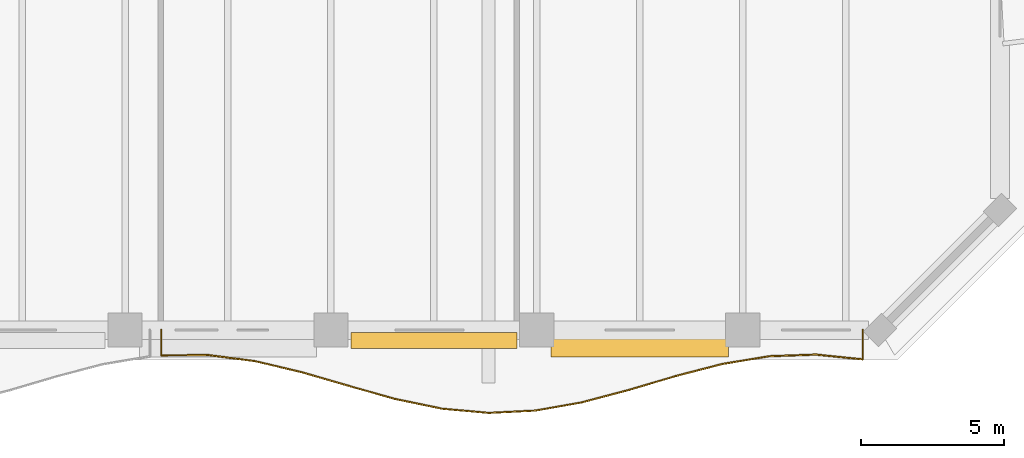
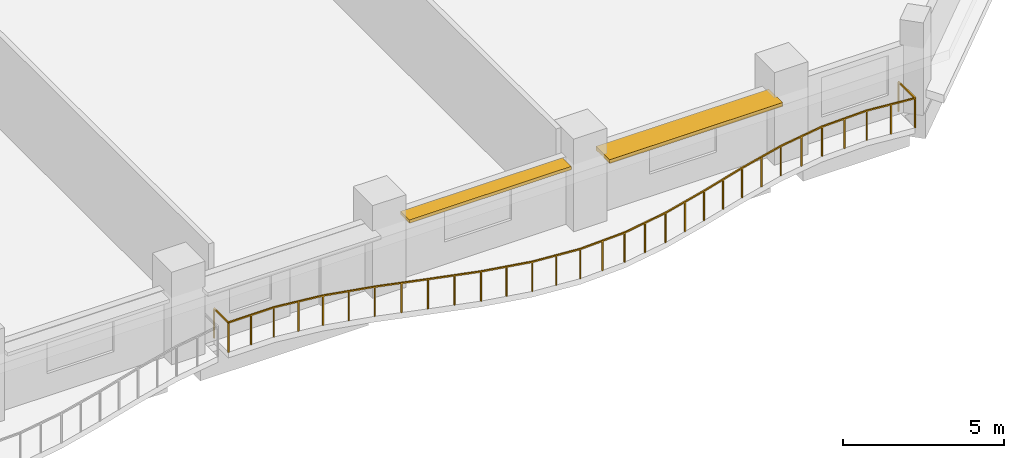
# One storey, part 14 of 15: 2 shading devices, 1 railing.
"""IFC4 building model written with IfcOpenShell, lengths in metres."""

from ifc_helpers import new_model, si_unit, direction, frame, origin, origin_2d, place, context, subcontext, project, spatial, rectangle, extrude, material, layer, layer_set, type_object, element, save


model = new_model("IFC4")

# Units and contexts
model_context = context("Model", 3, precision=1e-05, world=origin(), true_north=direction((0.0, 1.0)))
body_context = subcontext(model_context, "Body", "Model", "MODEL_VIEW")
ifc_project = project(units=[si_unit("LENGTHUNIT", "METRE"), si_unit("AREAUNIT", "SQUARE_METRE"), si_unit("VOLUMEUNIT", "CUBIC_METRE"), si_unit("PLANEANGLEUNIT", "RADIAN"), si_unit("MASSUNIT", "GRAM", prefix="KILO")], contexts=[model_context])

# Site, building, storey
site_placement = place(None, origin())
site = spatial("IfcSite", under=ifc_project, at=site_placement, CompositionType="ELEMENT")
building_placement = place(site_placement, origin())
building = spatial("IfcBuilding", under=site, at=building_placement, Name="Kaelvorn Grand Hotel", CompositionType="ELEMENT")
storey_placement = place(building_placement, frame((0.0, 0.0, 115.550048828125)))
storey = spatial("IfcBuildingStorey", under=building, at=storey_placement, Name="L27", CompositionType="ELEMENT", Elevation=115.550048828125)

# Railing
ifc_material_1 = material(Name="Stainless Steel", Category="steel")
railing_type = type_object("IfcRailingType", Name="RL-BALC-1150", PredefinedType="BALUSTRADE", material=ifc_material_1)
railing_placement = place(storey_placement, frame((54.666748046875, 0.0, 0.0)))
element("IfcRailing", 1, at=railing_placement, inside=storey, type_object=railing_type, Name="L27 Scalloped Wave Balcony Balustrade GR1-3", PredefinedType="BALUSTRADE", context=body_context, shape_type="SweptSolid", body=[
    extrude(rectangle(XDim=0.048095703125, YDim=0.048095703125, at=origin_2d()), frame((0.0, 0.0, 1.1259765625), z_axis=(0.0, -1.0, 0.0), x_axis=(1.0, 0.0, 0.0)), (0.0, 0.0, 1.0), 0.884521484375),
    extrude(rectangle(XDim=0.048095703125, YDim=0.048095703125, at=origin_2d()), frame((0.0, -0.884521484375, 1.1259765625), z_axis=(0.999978430437, 0.006568002827, 0.0), x_axis=(-0.006568002827, 0.999978430437, 0.0)), (0.0, 0.0, 1.0), 1.635498046875),
    extrude(rectangle(XDim=0.048095703125, YDim=0.048095703125, at=origin_2d()), frame((1.635498046875, -0.873779296875, 1.1259765625), z_axis=(0.991728699093, -0.128351811034, 0.0), x_axis=(0.128351811034, 0.991728699093, 0.0)), (0.0, 0.0, 1.0), 1.649169921875),
    extrude(rectangle(XDim=0.048095703125, YDim=0.048095703125, at=origin_2d()), frame((3.27099609375, -1.08544921875, 1.1259765625), z_axis=(0.973100001254, -0.230383132108, 0.0), x_axis=(0.230383132108, 0.973100001254, 0.0)), (0.0, 0.0, 1.0), 1.6806640625),
    extrude(rectangle(XDim=0.048095703125, YDim=0.048095703125, at=origin_2d()), frame((4.906494140625, -1.47265625, 1.1259765625), z_axis=(0.960083412967, -0.279713854047, 0.0), x_axis=(0.279713854047, 0.960083412967, 0.0)), (0.0, 0.0, 1.0), 1.703857421875),
    extrude(rectangle(XDim=0.048095703125, YDim=0.048095703125, at=origin_2d()), frame((6.542236328125, -1.94921875, 1.1259765625), z_axis=(0.962654451324, -0.270733092446, 0.0), x_axis=(0.270733092446, 0.962654451324, 0.0)), (0.0, 0.0, 1.0), 1.698974609375),
    extrude(rectangle(XDim=0.048095703125, YDim=0.048095703125, at=origin_2d()), frame((8.177734375, -2.4091796875, 1.1259765625), z_axis=(0.978911067954, -0.20428685968, 0.0), x_axis=(0.20428685968, 0.978911067954, 0.0)), (0.0, 0.0, 1.0), 1.670654296875),
    extrude(rectangle(XDim=0.048095703125, YDim=0.048095703125, at=origin_2d()), frame((9.813232421875, -2.75048828125, 1.1259765625), z_axis=(0.9959865086, -0.089503489801, 0.0), x_axis=(0.089503489801, 0.9959865086, 0.0)), (0.0, 0.0, 1.0), 1.64208984375),
    extrude(rectangle(XDim=0.048095703125, YDim=0.048095703125, at=origin_2d()), frame((11.44873046875, -2.8974609375, 1.1259765625), z_axis=(0.998796551064, 0.049045382881, 0.0), x_axis=(-0.049045382881, 0.998796551064, 0.0)), (0.0, 0.0, 1.0), 1.6376953125),
    extrude(rectangle(XDim=0.048095703125, YDim=0.048095703125, at=origin_2d()), frame((13.08447265625, -2.817138671875, 1.1259765625), z_axis=(0.984712445929, 0.174187826306, 0.0), x_axis=(-0.174187826306, 0.984712445929, 0.0)), (0.0, 0.0, 1.0), 1.660888671875),
    extrude(rectangle(XDim=0.048095703125, YDim=0.048095703125, at=origin_2d()), frame((14.719970703125, -2.52783203125, 1.1259765625), z_axis=(0.966464429191, 0.256800520072, 0.0), x_axis=(-0.256800520072, 0.966464429191, 0.0)), (0.0, 0.0, 1.0), 1.692138671875),
    extrude(rectangle(XDim=0.048095703125, YDim=0.048095703125, at=origin_2d()), frame((16.35546875, -2.09326171875, 1.1259765625), z_axis=(0.959066322629, 0.283181547419, 0.0), x_axis=(-0.283181547419, 0.959066322629, 0.0)), (0.0, 0.0, 1.0), 1.705322265625),
    extrude(rectangle(XDim=0.048095703125, YDim=0.048095703125, at=origin_2d()), frame((17.990966796875, -1.6103515625, 1.1259765625), z_axis=(0.967989097059, 0.250992246842, 0.0), x_axis=(-0.250992246842, 0.967989097059, 0.0)), (0.0, 0.0, 1.0), 1.689697265625),
    extrude(rectangle(XDim=0.048095703125, YDim=0.048095703125, at=origin_2d()), frame((19.62646484375, -1.186279296875, 1.1259765625), z_axis=(0.986528894242, 0.163587104702, 0.0), x_axis=(-0.163587104702, 0.986528894242, 0.0)), (0.0, 0.0, 1.0), 1.657958984375),
    extrude(rectangle(XDim=0.048095703125, YDim=0.048095703125, at=origin_2d()), frame((21.26220703125, -0.9150390625, 1.1259765625), z_axis=(0.999374770744, 0.035356295069, 0.0), x_axis=(-0.035356295069, 0.999374770744, 0.0)), (0.0, 0.0, 1.0), 1.636474609375),
    extrude(rectangle(XDim=0.048095703125, YDim=0.048095703125, at=origin_2d()), frame((22.897705078125, -0.857177734375, 1.1259765625), z_axis=(0.994767517021, -0.102164509884, 0.0), x_axis=(0.102164509884, 0.994767517021, 0.0)), (0.0, 0.0, 1.0), 1.64404296875),
    extrude(rectangle(XDim=0.048095703125, YDim=0.048095703125, at=origin_2d()), frame((24.533203125, -1.025146484375, 1.1259765625), z_axis=(0.0, 1.0, 0.0), x_axis=(-1.0, 0.0, 0.0)), (0.0, 0.0, 1.0), 1.025146484375),
    extrude(rectangle(XDim=0.0419921875, YDim=0.0419921875, at=origin_2d()), origin(), (0.0, 0.0, 1.0), 1.101806640625),
    extrude(rectangle(XDim=0.0419921875, YDim=0.0419921875, at=origin_2d()), frame((0.0, -0.884521484375, 0.0)), (0.0, 0.0, 1.0), 1.101806640625),
    extrude(rectangle(XDim=0.0419921875, YDim=0.0419921875, at=origin_2d()), frame((0.81787109375, -0.879150390625, 0.0)), (0.0, 0.0, 1.0), 1.101806640625),
    extrude(rectangle(XDim=0.0419921875, YDim=0.0419921875, at=origin_2d()), frame((1.635498046875, -0.873779296875, 0.0)), (0.0, 0.0, 1.0), 1.101806640625),
    extrude(rectangle(XDim=0.0419921875, YDim=0.0419921875, at=origin_2d()), frame((2.453125, -0.9794921875, 0.0)), (0.0, 0.0, 1.0), 1.101806640625),
    extrude(rectangle(XDim=0.0419921875, YDim=0.0419921875, at=origin_2d()), frame((3.27099609375, -1.08544921875, 0.0)), (0.0, 0.0, 1.0), 1.101806640625),
    extrude(rectangle(XDim=0.0419921875, YDim=0.0419921875, at=origin_2d()), frame((4.0888671875, -1.279052734375, 0.0)), (0.0, 0.0, 1.0), 1.101806640625),
    extrude(rectangle(XDim=0.0419921875, YDim=0.0419921875, at=origin_2d()), frame((4.906494140625, -1.47265625, 0.0)), (0.0, 0.0, 1.0), 1.101806640625),
    extrude(rectangle(XDim=0.0419921875, YDim=0.0419921875, at=origin_2d()), frame((5.724365234375, -1.7109375, 0.0)), (0.0, 0.0, 1.0), 1.101806640625),
    extrude(rectangle(XDim=0.0419921875, YDim=0.0419921875, at=origin_2d()), frame((6.542236328125, -1.94921875, 0.0)), (0.0, 0.0, 1.0), 1.101806640625),
    extrude(rectangle(XDim=0.0419921875, YDim=0.0419921875, at=origin_2d()), frame((7.35986328125, -2.17919921875, 0.0)), (0.0, 0.0, 1.0), 1.101806640625),
    extrude(rectangle(XDim=0.0419921875, YDim=0.0419921875, at=origin_2d()), frame((8.177734375, -2.4091796875, 0.0)), (0.0, 0.0, 1.0), 1.101806640625),
    extrude(rectangle(XDim=0.0419921875, YDim=0.0419921875, at=origin_2d()), frame((8.99560546875, -2.579833984375, 0.0)), (0.0, 0.0, 1.0), 1.101806640625),
    extrude(rectangle(XDim=0.0419921875, YDim=0.0419921875, at=origin_2d()), frame((9.813232421875, -2.75048828125, 0.0)), (0.0, 0.0, 1.0), 1.101806640625),
    extrude(rectangle(XDim=0.0419921875, YDim=0.0419921875, at=origin_2d()), frame((10.630859375, -2.823974609375, 0.0)), (0.0, 0.0, 1.0), 1.101806640625),
    extrude(rectangle(XDim=0.0419921875, YDim=0.0419921875, at=origin_2d()), frame((11.44873046875, -2.8974609375, 0.0)), (0.0, 0.0, 1.0), 1.101806640625),
    extrude(rectangle(XDim=0.0419921875, YDim=0.0419921875, at=origin_2d()), frame((12.2666015625, -2.857421875, 0.0)), (0.0, 0.0, 1.0), 1.101806640625),
    extrude(rectangle(XDim=0.0419921875, YDim=0.0419921875, at=origin_2d()), frame((13.08447265625, -2.817138671875, 0.0)), (0.0, 0.0, 1.0), 1.101806640625),
    extrude(rectangle(XDim=0.0419921875, YDim=0.0419921875, at=origin_2d()), frame((13.90234375, -2.67236328125, 0.0)), (0.0, 0.0, 1.0), 1.101806640625),
    extrude(rectangle(XDim=0.0419921875, YDim=0.0419921875, at=origin_2d()), frame((14.719970703125, -2.52783203125, 0.0)), (0.0, 0.0, 1.0), 1.101806640625),
    extrude(rectangle(XDim=0.0419921875, YDim=0.0419921875, at=origin_2d()), frame((15.53759765625, -2.310546875, 0.0)), (0.0, 0.0, 1.0), 1.101806640625),
    extrude(rectangle(XDim=0.0419921875, YDim=0.0419921875, at=origin_2d()), frame((16.35546875, -2.09326171875, 0.0)), (0.0, 0.0, 1.0), 1.101806640625),
    extrude(rectangle(XDim=0.0419921875, YDim=0.0419921875, at=origin_2d()), frame((17.17333984375, -1.851806640625, 0.0)), (0.0, 0.0, 1.0), 1.101806640625),
    extrude(rectangle(XDim=0.0419921875, YDim=0.0419921875, at=origin_2d()), frame((17.990966796875, -1.6103515625, 0.0)), (0.0, 0.0, 1.0), 1.101806640625),
    extrude(rectangle(XDim=0.0419921875, YDim=0.0419921875, at=origin_2d()), frame((18.80859375, -1.3984375, 0.0)), (0.0, 0.0, 1.0), 1.101806640625),
    extrude(rectangle(XDim=0.0419921875, YDim=0.0419921875, at=origin_2d()), frame((19.62646484375, -1.186279296875, 0.0)), (0.0, 0.0, 1.0), 1.101806640625),
    extrude(rectangle(XDim=0.0419921875, YDim=0.0419921875, at=origin_2d()), frame((20.4443359375, -1.05078125, 0.0)), (0.0, 0.0, 1.0), 1.101806640625),
    extrude(rectangle(XDim=0.0419921875, YDim=0.0419921875, at=origin_2d()), frame((21.26220703125, -0.9150390625, 0.0)), (0.0, 0.0, 1.0), 1.101806640625),
    extrude(rectangle(XDim=0.0419921875, YDim=0.0419921875, at=origin_2d()), frame((22.080078125, -0.88623046875, 0.0)), (0.0, 0.0, 1.0), 1.101806640625),
    extrude(rectangle(XDim=0.0419921875, YDim=0.0419921875, at=origin_2d()), frame((22.897705078125, -0.857177734375, 0.0)), (0.0, 0.0, 1.0), 1.101806640625),
    extrude(rectangle(XDim=0.0419921875, YDim=0.0419921875, at=origin_2d()), frame((23.71533203125, -0.941162109375, 0.0)), (0.0, 0.0, 1.0), 1.101806640625),
    extrude(rectangle(XDim=0.0419921875, YDim=0.0419921875, at=origin_2d()), frame((24.533203125, -1.025146484375, 0.0)), (0.0, 0.0, 1.0), 1.101806640625),
    extrude(rectangle(XDim=0.0419921875, YDim=0.0419921875, at=origin_2d()), frame((24.533203125, 0.0, 0.0)), (0.0, 0.0, 1.0), 1.101806640625),
])

# Shading devices
ifc_material_2 = material(Name="Precast concrete C45/55", Category="concrete")
ifc_layer_1 = layer(ifc_material_2, 0.1201171875)
ifc_layer_set_1 = layer_set([ifc_layer_1], Name="Precast concrete C45/55")
shading_device_type_1 = type_object("IfcShadingDeviceType", Name="SHD-SUNSHADE-550", PredefinedType="USERDEFINED", material=ifc_layer_set_1)
shading_device_1_placement = place(storey_placement, frame((64.199951171875, -0.364990234375, 2.419921875), z_axis=(0.0, 0.0, 1.0), x_axis=(1.0, 0.0, 0.0)))
element("IfcShadingDevice", 2, at=shading_device_1_placement, inside=storey, type_object=shading_device_type_1, Name="L27 Horizontal Concrete Sunshade Band SS-09", ObjectType="SUNSHADE", PredefinedType="USERDEFINED", context=body_context, shape_type="SweptSolid", body=[
    extrude(rectangle(XDim=5.800048828125, YDim=0.550048828125, at=origin_2d()), origin(), (0.0, 0.0, 1.0), 0.1201171875),
])
ifc_layer_2 = layer(ifc_material_2, 0.139892578125)
ifc_layer_set_2 = layer_set([ifc_layer_2], Name="Precast concrete C45/55")
shading_device_type_2 = type_object("IfcShadingDeviceType", Name="SHD-SUNSHADE-850", PredefinedType="USERDEFINED", material=ifc_layer_set_2)
shading_device_2_placement = place(storey_placement, frame((71.39990234375, -0.514892578125, 2.41015625), z_axis=(0.0, 0.0, 1.0), x_axis=(1.0, 0.0, 0.0)))
element("IfcShadingDevice", 3, at=shading_device_2_placement, inside=storey, type_object=shading_device_type_2, Name="L27 Horizontal Concrete Sunshade Band SS-10", ObjectType="SUNSHADE", PredefinedType="USERDEFINED", context=body_context, shape_type="SweptSolid", body=[
    extrude(rectangle(XDim=6.199951171875, YDim=0.85009765625, at=origin_2d()), origin(), (0.0, 0.0, 1.0), 0.139892578125),
])

save(model, "model.ifc")
